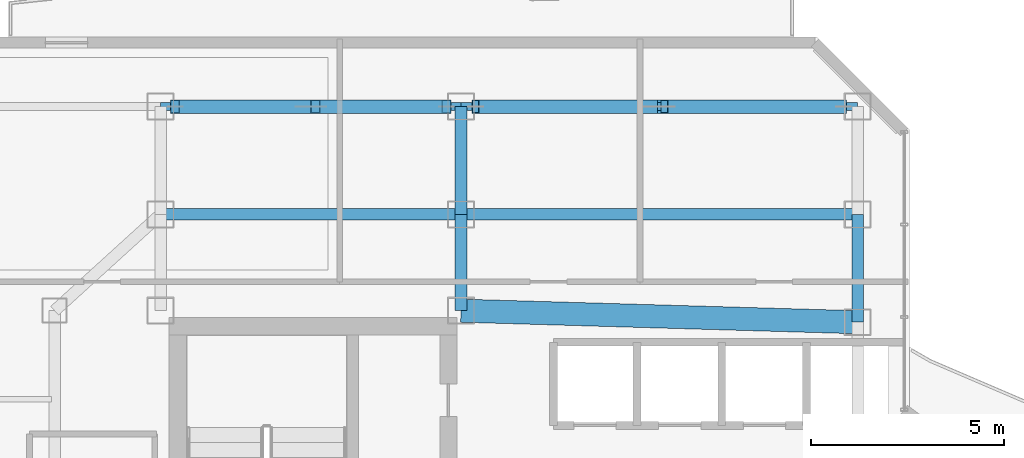
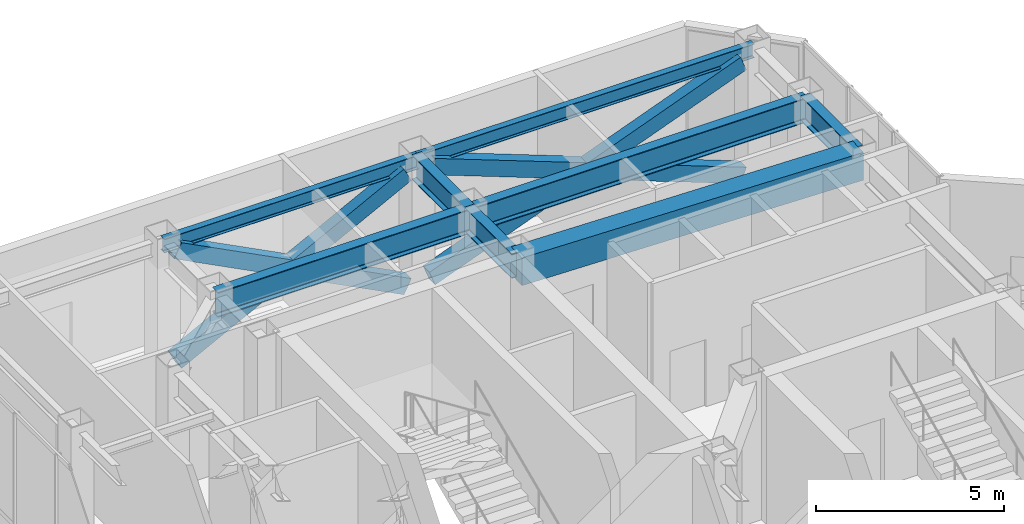
# One storey, part 12 of 21: 8 beams, 6 members.
"""IFC4 building model written with IfcOpenShell, lengths in metres."""

import ifcopenshell
import ifcopenshell.guid

model = None  # the IFC model being written
_history = None  # IfcOwnerHistory: only IFC2X3 demands one
_inside = {}  # id of a spatial element -> (the spatial element, [elements in it])
_under = {}  # id of a project, library or spatial element -> (it, [spatial elements below it])
_declared = {}  # id of a project -> (the project, [libraries it declares])
_typed = {}  # id of a type object -> (the type object, [elements of that type])
_made_of = {}  # id of a material, layer set ... -> (it, [elements and type objects made of it])


def new_model(schema):
    """Start an empty IFC model of exactly this schema.

    Asked for "IFC4X3", IfcOpenShell would pick the latest addendum, in which some entities
    have other attributes; the version numbers below select the first issue.
    IFC2X3 requires an IfcOwnerHistory on every rooted entity: one is made here for all.
    """
    global model, _history
    if schema == "IFC4X3":
        model = ifcopenshell.file(schema_version=(4, 3, 0, 0))
    else:
        model = ifcopenshell.file(schema=schema)
    _inside.clear()
    _under.clear()
    _declared.clear()
    _typed.clear()
    _made_of.clear()
    _history = None
    if model.schema == "IFC2X3":
        org = make("IfcOrganization", Name="unknown")
        user = make(
            "IfcPersonAndOrganization",
            ThePerson=make("IfcPerson", FamilyName="unknown"),
            TheOrganization=org,
        )
        app = make(
            "IfcApplication",
            ApplicationDeveloper=org,
            Version="unknown",
            ApplicationFullName="unknown",
            ApplicationIdentifier="unknown",
        )
        _history = make(
            "IfcOwnerHistory",
            OwningUser=user,
            OwningApplication=app,
            ChangeAction="ADDED",
            CreationDate=0,
        )
    return model


def make(cls, **values):
    """One entity of the class cls with the attributes given. An attribute that is None is left unset."""
    return model.create_entity(
        cls, **{name: value for name, value in values.items() if value is not None}
    )


def rooted(cls, **values):
    """An entity with a GlobalId (a new one), such as an element, a storey or a relation."""
    return make(cls, GlobalId=ifcopenshell.guid.new(), OwnerHistory=_history, **values)


def si_unit(unit_type, name, prefix=None):
    """IfcSIUnit, for example si_unit("LENGTHUNIT", "METRE", prefix="MILLI")."""
    return make("IfcSIUnit", UnitType=unit_type, Prefix=prefix, Name=name)


def assignment(units):
    """IfcUnitAssignment: the units of a project."""
    return None if units is None else make("IfcUnitAssignment", Units=units)


def point(xyz):
    """IfcCartesianPoint."""
    return None if xyz is None else make("IfcCartesianPoint", Coordinates=xyz)


def direction(xyz):
    """IfcDirection."""
    return None if xyz is None else make("IfcDirection", DirectionRatios=xyz)


def frame(location, z_axis=None, x_axis=None):
    """IfcAxis2Placement3D, a coordinate frame: its origin and axes. An axis left out is left unset."""
    return make(
        "IfcAxis2Placement3D",
        Location=point(location),
        Axis=direction(z_axis),
        RefDirection=direction(x_axis),
    )


def frame_2d(location, x_axis=None):
    """IfcAxis2Placement2D, a coordinate frame in the plane: its origin and x axis."""
    return make(
        "IfcAxis2Placement2D", Location=point(location), RefDirection=direction(x_axis)
    )


def origin():
    """The frame at (0, 0, 0) with its axes left unset."""
    return frame((0.0, 0.0, 0.0))


def origin_2d():
    """The frame at (0, 0) in the plane with its x axis left unset."""
    return frame_2d((0.0, 0.0))


def place(relative_to, where):
    """IfcLocalPlacement: puts the frame where relative to a parent placement (None: the world)."""
    return make(
        "IfcLocalPlacement", PlacementRelTo=relative_to, RelativePlacement=where
    )


def context(
    kind, dimensions, precision=None, world=None, true_north=None, identifier=None
):
    """IfcGeometricRepresentationContext, for example the 3D "Model" context."""
    return make(
        "IfcGeometricRepresentationContext",
        ContextIdentifier=identifier,
        ContextType=kind,
        CoordinateSpaceDimension=dimensions,
        Precision=precision,
        WorldCoordinateSystem=world,
        TrueNorth=true_north,
    )


def subcontext(parent, identifier, kind, view, scale=None):
    """IfcGeometricRepresentationSubContext, for example "Body" below "Model"."""
    return make(
        "IfcGeometricRepresentationSubContext",
        ContextIdentifier=identifier,
        ContextType=kind,
        ParentContext=parent,
        TargetScale=scale,
        TargetView=view,
    )


def project(units=None, contexts=None):
    """IfcProject with its units and contexts."""
    return rooted(
        "IfcProject",
        Name="project",
        RepresentationContexts=contexts,
        UnitsInContext=assignment(units),
    )


def spatial(cls, under=None, at=None, **own):
    """A site, building, storey or space (cls), placed at a placement, below another one or the project."""
    s = rooted(cls, ObjectPlacement=at, **own)
    if under is not None:
        _under.setdefault(under.id(), (under, []))[1].append(s)
    return s


def profile(cls, at=None, kind="AREA", **sizes):
    """A parametric profile (cls). Its sizes go by their IFC names, for example OverallWidth=200.0."""
    return make(cls, ProfileType=kind, Position=at, **sizes)


def rectangle(**sizes):
    """IfcRectangleProfileDef."""
    return profile("IfcRectangleProfileDef", **sizes)


def hollow_rectangle(**sizes):
    """IfcRectangleHollowProfileDef."""
    return profile("IfcRectangleHollowProfileDef", **sizes)


def i_section(**sizes):
    """IfcIShapeProfileDef."""
    return profile("IfcIShapeProfileDef", **sizes)


def extrude(swept, where, along, depth):
    """IfcExtrudedAreaSolid: the profile swept, set in the frame where, extruded along a direction by depth."""
    return make(
        "IfcExtrudedAreaSolid",
        SweptArea=swept,
        Position=where,
        ExtrudedDirection=direction(along),
        Depth=depth,
    )


def shape(context_of_items, identifier, shape_type, items):
    """IfcShapeRepresentation: the items that make up one representation, for example the "Body"."""
    return make(
        "IfcShapeRepresentation",
        ContextOfItems=context_of_items,
        RepresentationIdentifier=identifier,
        RepresentationType=shape_type,
        Items=items,
    )


def material(Name=None, Category=None):
    """IfcMaterial."""
    return make("IfcMaterial", Name=Name, Category=Category)


def material_profile(
    of_material, cross_section, Name=None, Category=None, Priority=None
):
    """IfcMaterialProfile: a cross section and its material."""
    return make(
        "IfcMaterialProfile",
        Name=Name,
        Material=of_material,
        Profile=cross_section,
        Priority=Priority,
        Category=Category,
    )


def profile_set(profiles, Name=None, composite=None):
    """IfcMaterialProfileSet."""
    return make(
        "IfcMaterialProfileSet",
        Name=Name,
        MaterialProfiles=profiles,
        CompositeProfile=composite,
    )


def made_of(thing, what):
    """Note that an element or type object is made of a material, layer set ...; save() writes the relation."""
    if what is not None:
        _made_of.setdefault(what.id(), (what, []))[1].append(thing)
    return thing


def type_object(cls, material=None, **own):
    """A type object (cls), such as IfcWallType, which elements share."""
    return made_of(rooted(cls, **own), material)


def element(
    cls,
    number,
    at=None,
    inside=None,
    cuts=None,
    type_object=None,
    material=None,
    context=None,
    identifier="Body",
    shape_type=None,
    held_by="IfcProductDefinitionShape",
    body=None,
    shapes=None,
    **own,
):
    """One element of the class cls, such as IfcWall. Its Tag is "e" and its number.

    at: its placement. inside: the storey or other place that contains it. cuts: it is an
    opening in that element (IfcRelVoidsElement). A single representation is given by context,
    identifier, shape_type and body (its items); several are given by shapes. held_by: the class
    of the entity that holds the representations. save() writes the other relations.
    """
    e = rooted(cls, Tag="e%d" % number, ObjectPlacement=at, **own)
    if body is not None:
        shapes = [shape(context, identifier, shape_type, body)]
    if shapes is not None:
        e.Representation = make(held_by, Representations=shapes)
    if inside is not None:
        _inside.setdefault(inside.id(), (inside, []))[1].append(e)
    if cuts is not None:
        rooted(
            "IfcRelVoidsElement", RelatingBuildingElement=cuts, RelatedOpeningElement=e
        )
    if type_object is not None:
        _typed.setdefault(type_object.id(), (type_object, []))[1].append(e)
    return made_of(e, material)


def aggregate(whole, parts):
    """IfcRelAggregates: a whole, such as a stair, and the parts it consists of."""
    return rooted("IfcRelAggregates", RelatingObject=whole, RelatedObjects=parts)


def save(model, path):
    """Write the relations noted so far, then the file.

    IfcRelAggregates (storeys below a building ...), IfcRelContainedInSpatialStructure (elements
    in a storey), IfcRelDefinesByType, IfcRelAssociatesMaterial and IfcRelDeclares: one each for
    every whole, place, type object, material and project.
    """
    for whole, parts in _under.values():
        aggregate(whole, parts)
    for where, things in _inside.values():
        rooted(
            "IfcRelContainedInSpatialStructure",
            RelatedElements=things,
            RelatingStructure=where,
        )
    for kind, things in _typed.values():
        rooted("IfcRelDefinesByType", RelatedObjects=things, RelatingType=kind)
    for what, things in _made_of.values():
        rooted("IfcRelAssociatesMaterial", RelatedObjects=things, RelatingMaterial=what)
    for by, libraries in _declared.values():
        rooted("IfcRelDeclares", RelatingContext=by, RelatedDefinitions=libraries)
    model.write(path)


model = new_model("IFC4")

# Units and contexts
model_context = context("Model", 3, precision=1e-05, world=origin(), true_north=direction((0.0, 1.0)))
body_context = subcontext(model_context, "Body", "Model", "MODEL_VIEW")
ifc_project = project(units=[si_unit("LENGTHUNIT", "METRE"), si_unit("AREAUNIT", "SQUARE_METRE"), si_unit("VOLUMEUNIT", "CUBIC_METRE"), si_unit("PLANEANGLEUNIT", "RADIAN"), si_unit("MASSUNIT", "GRAM", prefix="KILO")], contexts=[model_context])

# Site, building, storey
site_placement = place(None, origin())
site = spatial("IfcSite", under=ifc_project, at=site_placement, CompositionType="ELEMENT")
building_placement = place(site_placement, origin())
building = spatial("IfcBuilding", under=site, at=building_placement, Name="Hatsunagi Terrace Concourse", CompositionType="ELEMENT")
storey_placement = place(building_placement, frame((0.0, 0.0, 234.75)))
storey = spatial("IfcBuildingStorey", under=building, at=storey_placement, Name="L62", CompositionType="ELEMENT", Elevation=234.75)

# Beams
ifc_material_1 = material(Name="Concrete Fc42", Category="concrete")
ifc_material_profile_1 = material_profile(ifc_material_1, rectangle(XDim=0.60009765625, YDim=0.89990234375, at=origin_2d()), Name="RC-600x900")
ifc_profile_set_1 = profile_set([ifc_material_profile_1], Name="Concrete Fc42")
beam_type_1 = type_object("IfcBeamType", Name="CoreCouplingBeam_RC_600x900", PredefinedType="BEAM", material=ifc_profile_set_1)
beam_1_placement = place(storey_placement, frame((33.35009765625, 43.300048828125, 4.10009765625), z_axis=(0.999575947545, -0.029119153303, 0.0), x_axis=(0.029119153303, 0.999575947545, 0.0)))
element("IfcBeam", 1, at=beam_1_placement, inside=storey, type_object=beam_type_1, Name="Beam CB-03 CB-L62-2", PredefinedType="BEAM", context=body_context, shape_type="SweptSolid", body=[
    extrude(rectangle(XDim=0.60009765625, YDim=0.89990234375, at=origin_2d()), origin(), (0.0, 0.0, 1.0), 10.30419921875),
])
ifc_material_2 = material(Name="Steel SN490B", Category="steel")
ifc_material_profile_2 = material_profile(ifc_material_2, i_section(OverallWidth=0.199951171875, OverallDepth=0.449951171875, WebThickness=0.009033203125, FlangeThickness=0.013916015625, FilletRadius=0.01611328125, at=origin_2d()), Name="H-450x200x9x14")
ifc_profile_set_2 = profile_set([ifc_material_profile_2], Name="Steel SN490B")
beam_type_2 = type_object("IfcBeamType", Name="PerimeterSpandrel_H_450x200", PredefinedType="SPANDREL", material=ifc_profile_set_2)
beam_2_placement = place(storey_placement, frame((25.550048828125, 48.60009765625, 4.324951171875), z_axis=(1.0, 0.0, 0.0), x_axis=(0.0, 1.0, 0.0)))
element("IfcBeam", 2, at=beam_2_placement, inside=storey, type_object=beam_type_2, Name="Beam SP-02 BM-L62-WN-25", PredefinedType="SPANDREL", context=body_context, shape_type="SweptSolid", body=[
    extrude(i_section(OverallWidth=0.199951171875, OverallDepth=0.449951171875, WebThickness=0.009033203125, FlangeThickness=0.013916015625, FilletRadius=0.01611328125, at=origin_2d()), origin(), (0.0, 0.0, 1.0), 7.800048828125),
])
beam_3_placement = place(storey_placement, frame((33.35009765625, 48.60009765625, 4.324951171875), z_axis=(1.0, 0.0, 0.0), x_axis=(0.0, 1.0, 0.0)))
element("IfcBeam", 3, at=beam_3_placement, inside=storey, type_object=beam_type_2, Name="Beam SP-02 BM-L62-WN-33", PredefinedType="SPANDREL", context=body_context, shape_type="SweptSolid", body=[
    extrude(i_section(OverallWidth=0.199951171875, OverallDepth=0.449951171875, WebThickness=0.009033203125, FlangeThickness=0.013916015625, FilletRadius=0.01611328125, at=origin_2d()), origin(), (0.0, 0.0, 1.0), 10.2998046875),
])

# Members
ifc_material_3 = material(Name="Steel SN490B", Category="steel")
ifc_material_profile_3 = material_profile(ifc_material_3, hollow_rectangle(XDim=0.35009765625, YDim=0.5, WallThickness=0.02197265625, at=origin_2d()), Name="RHS-500x350x22")
ifc_profile_set_3 = profile_set([ifc_material_profile_3], Name="Steel SN490B")
member_type = type_object("IfcMemberType", Name="PerimeterXBrace_Upper_RHS_500x350x22", PredefinedType="BRACE", material=ifc_profile_set_3)
member_1_placement = place(storey_placement, frame((25.927978515625, 48.60009765625, 0.4599609375), z_axis=(0.888901189202, 0.0, 0.458098980391), x_axis=(0.0, 1.0, 0.0)))
element("IfcMember", 4, at=member_1_placement, inside=storey, type_object=member_type, Name="Primary Continuous Brace XB-03 BTR-L62-3A", PredefinedType="BRACE", context=body_context, shape_type="SweptSolid", body=[
    extrude(hollow_rectangle(XDim=0.35009765625, YDim=0.5, WallThickness=0.02197265625, at=origin_2d()), origin(), (0.0, 0.0, 1.0), 7.92431640625),
])
for number, where, z_axis, x_axis, name in (
    (5, (25.927978515625, 48.60009765625, 4.090087890625), (0.888919395182, 0.0, -0.458063651548), (0.0, 1.0, 0.0), "Split Secondary Brace Upper XB-03 BTR-L62-3B1"),
    (6, (29.573974609375, 48.60009765625, 2.2109375), (0.888919395182, 0.0, -0.458063651548), (0.0, 1.0, 0.0), "Split Secondary Brace Lower XB-03 BTR-L62-3B2"),
):
    element("IfcMember", number, at=place(storey_placement, frame(where, z_axis=z_axis, x_axis=x_axis)), inside=storey, type_object=member_type, Name=name, PredefinedType="BRACE", context=body_context, shape_type="SweptSolid", body=[
        extrude(hollow_rectangle(XDim=0.35009765625, YDim=0.5, WallThickness=0.02197265625, at=origin_2d()), origin(), (0.0, 0.0, 1.0), 3.822509765625),
    ])
member_2_placement = place(storey_placement, frame((33.72802734375, 48.60009765625, 0.4599609375), z_axis=(0.934672068099, 0.0, 0.355511075938), x_axis=(0.0, 1.0, 0.0)))
element("IfcMember", 7, at=member_2_placement, inside=storey, type_object=member_type, Name="Primary Continuous Brace XB-03 BTR-L62-4A", PredefinedType="BRACE", context=body_context, shape_type="SweptSolid", body=[
    extrude(hollow_rectangle(XDim=0.35009765625, YDim=0.5, WallThickness=0.02197265625, at=origin_2d()), origin(), (0.0, 0.0, 1.0), 10.2109375),
])
for number, where, z_axis, x_axis, name in (
    (8, (33.72802734375, 48.60009765625, 4.090087890625), (0.934676105873, 0.0, -0.35550046007), (0.0, 1.0, 0.0), "Split Secondary Brace Upper XB-03 BTR-L62-4B1"),
    (9, (38.631103515625, 48.60009765625, 2.22509765625), (0.934676105873, 0.0, -0.35550046007), (0.0, 1.0, 0.0), "Split Secondary Brace Lower XB-03 BTR-L62-4B2"),
):
    element("IfcMember", number, at=place(storey_placement, frame(where, z_axis=z_axis, x_axis=x_axis)), inside=storey, type_object=member_type, Name=name, PredefinedType="BRACE", context=body_context, shape_type="SweptSolid", body=[
        extrude(hollow_rectangle(XDim=0.35009765625, YDim=0.5, WallThickness=0.02197265625, at=origin_2d()), origin(), (0.0, 0.0, 1.0), 4.96533203125),
    ])

# Beams
ifc_material_4 = material(Name="Steel SN490B", Category="steel")
ifc_material_profile_4 = material_profile(ifc_material_4, i_section(OverallWidth=0.300048828125, OverallDepth=0.800048828125, WebThickness=0.013916015625, FlangeThickness=0.02587890625, FilletRadius=0.02197265625, at=origin_2d()), Name="H-800x300x14x26")
ifc_profile_set_4 = profile_set([ifc_material_profile_4], Name="Steel SN490B")
beam_type_3 = type_object("IfcBeamType", Name="SkyLobbyGirder_H_800x300", PredefinedType="BEAM", material=ifc_profile_set_4)
beam_4_placement = place(storey_placement, frame((33.35009765625, 43.300048828125, 4.14990234375), z_axis=(0.0, 1.0, 0.0), x_axis=(-1.0, 0.0, 0.0)))
element("IfcBeam", 10, at=beam_4_placement, inside=storey, type_object=beam_type_3, Name="Beam G-03 BM-L62-CN2", PredefinedType="BEAM", context=body_context, shape_type="SweptSolid", body=[
    extrude(i_section(OverallWidth=0.300048828125, OverallDepth=0.800048828125, WebThickness=0.013916015625, FlangeThickness=0.02587890625, FilletRadius=0.02197265625, at=origin_2d()), origin(), (0.0, 0.0, 1.0), 2.5),
])
beam_5_placement = place(storey_placement, frame((43.64990234375, 43.0, 4.14990234375), z_axis=(0.0, 1.0, 0.0), x_axis=(-1.0, 0.0, 0.0)))
element("IfcBeam", 11, at=beam_5_placement, inside=storey, type_object=beam_type_3, Name="Beam G-03 BM-L62-CN3", PredefinedType="BEAM", context=body_context, shape_type="SweptSolid", body=[
    extrude(i_section(OverallWidth=0.300048828125, OverallDepth=0.800048828125, WebThickness=0.013916015625, FlangeThickness=0.02587890625, FilletRadius=0.02197265625, at=origin_2d()), origin(), (0.0, 0.0, 1.0), 2.800048828125),
])
beam_6_placement = place(storey_placement, frame((25.550048828125, 45.800048828125, 4.14990234375), z_axis=(1.0, 0.0, 0.0), x_axis=(0.0, 1.0, 0.0)))
element("IfcBeam", 12, at=beam_6_placement, inside=storey, type_object=beam_type_3, Name="Beam G-03 BM-L62-CNEW1", PredefinedType="BEAM", context=body_context, shape_type="SweptSolid", body=[
    extrude(i_section(OverallWidth=0.300048828125, OverallDepth=0.800048828125, WebThickness=0.013916015625, FlangeThickness=0.02587890625, FilletRadius=0.02197265625, at=origin_2d()), origin(), (0.0, 0.0, 1.0), 7.800048828125),
])
beam_7_placement = place(storey_placement, frame((33.35009765625, 45.800048828125, 4.14990234375), z_axis=(1.0, 0.0, 0.0), x_axis=(0.0, 1.0, 0.0)))
element("IfcBeam", 13, at=beam_7_placement, inside=storey, type_object=beam_type_3, Name="Beam G-03 BM-L62-CNEW2", PredefinedType="BEAM", context=body_context, shape_type="SweptSolid", body=[
    extrude(i_section(OverallWidth=0.300048828125, OverallDepth=0.800048828125, WebThickness=0.013916015625, FlangeThickness=0.02587890625, FilletRadius=0.02197265625, at=origin_2d()), origin(), (0.0, 0.0, 1.0), 10.2998046875),
])
beam_8_placement = place(storey_placement, frame((33.35009765625, 45.800048828125, 4.14990234375), z_axis=(0.0, 1.0, 0.0), x_axis=(-1.0, 0.0, 0.0)))
element("IfcBeam", 14, at=beam_8_placement, inside=storey, type_object=beam_type_3, Name="Beam G-03 BM-L62-KN-WN5", PredefinedType="BEAM", context=body_context, shape_type="SweptSolid", body=[
    extrude(i_section(OverallWidth=0.300048828125, OverallDepth=0.800048828125, WebThickness=0.013916015625, FlangeThickness=0.02587890625, FilletRadius=0.02197265625, at=origin_2d()), origin(), (0.0, 0.0, 1.0), 2.800048828125),
])

save(model, "model.ifc")
